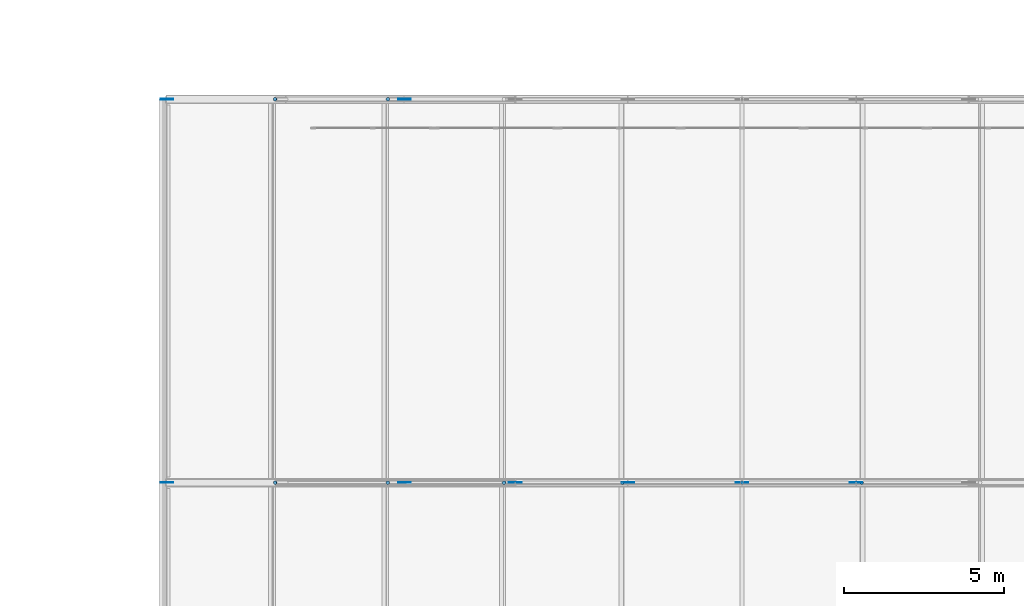
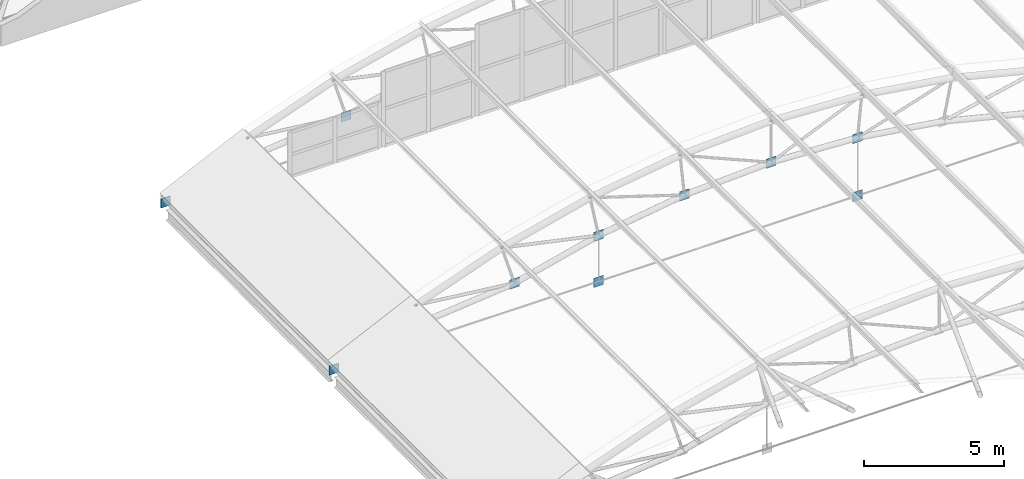
# One storey, part 308 of 321: 18 discrete accessories.
"""IFC4 building model written with IfcOpenShell, lengths in metres."""

from ifc_helpers import new_model, si_unit, direction, frame, origin, origin_2d, place, context, subcontext, project, spatial, rectangle, circle, extrude, material, material_profile, profile_set, type_object, element, save


model = new_model("IFC4")

# Units and contexts
model_context = context("Model", 3, precision=1e-05, world=origin(), true_north=direction((0.0, 1.0)))
body_context = subcontext(model_context, "Body", "Model", "MODEL_VIEW")
ifc_project = project(units=[si_unit("LENGTHUNIT", "METRE"), si_unit("AREAUNIT", "SQUARE_METRE"), si_unit("VOLUMEUNIT", "CUBIC_METRE"), si_unit("PLANEANGLEUNIT", "RADIAN"), si_unit("MASSUNIT", "GRAM", prefix="KILO")], contexts=[model_context])

# Site, building, storey
site_placement = place(None, origin())
site = spatial("IfcSite", under=ifc_project, at=site_placement, CompositionType="ELEMENT")
building_placement = place(site_placement, origin())
building = spatial("IfcBuilding", under=site, at=building_placement, Name="Ravi Spectrum Wholesale Market", CompositionType="ELEMENT")
storey_placement = place(building_placement, frame((0.0, 0.0, 10.800048828125)))
storey = spatial("IfcBuildingStorey", under=building, at=storey_placement, Name="L02", CompositionType="ELEMENT", Elevation=10.800048828125)

# Discrete accessories
ifc_material_1 = material(Name="Steel S355", Category="steel")
ifc_material_profile_1 = material_profile(ifc_material_1, circle(Radius=0.05712890625, at=origin_2d()))
ifc_profile_set_1 = profile_set([ifc_material_profile_1], Name="Steel S355")
discrete_accessory_type_1 = type_object("IfcDiscreteAccessoryType", Name="End plate CHS 114.3x4", PredefinedType="BRACKET", material=ifc_profile_set_1)
discrete_accessory_1_placement = place(storey_placement, frame((165.38818359375, 174.0, 1.59912109375), z_axis=(-0.371390676354, 0.0, 0.928476690885), x_axis=(0.0, -1.0, 0.0)))
element("IfcDiscreteAccessory", 1, at=discrete_accessory_1_placement, inside=storey, type_object=discrete_accessory_type_1, Name="End plate", PredefinedType="BRACKET", context=body_context, shape_type="SweptSolid", body=[
    extrude(circle(Radius=0.05712890625, at=origin_2d()), origin(), (0.0, 0.0, 1.0), 0.01171875),
])
for number, where, z_axis, x_axis, name in (
    (2, (168.916748046875, 174.0, 2.859130859375), (-0.2854765866, 0.0, 0.958385683586), (0.0, -1.0, 0.0), "End plate"),
    (3, (172.551513671875, 174.0, 3.767822265625), (-0.18428853505, 0.0, 0.982872186934), (0.0, -1.0, 0.0), "End plate"),
    (4, (176.2578125, 174.0, 4.31640625), (-0.101513688013, 0.0, 0.994834142531), (0.0, -1.0, 0.0), "End plate"),
    (5, (180.0, 174.0, 4.5), (0.0, 0.0, 1.0), (1.0, 0.0, 0.0), "End plate"),
    (6, (183.7421875, 174.0, 4.31640625), (0.101513688013, 0.0, 0.994834142531), (0.0, 1.0, 0.0), "End plate"),
):
    element("IfcDiscreteAccessory", number, at=place(storey_placement, frame(where, z_axis=z_axis, x_axis=x_axis)), inside=storey, type_object=discrete_accessory_type_1, Name=name, PredefinedType="BRACKET", context=body_context, shape_type="SweptSolid", body=[
        extrude(circle(Radius=0.05712890625, at=origin_2d()), origin(), (0.0, 0.0, 1.0), 0.011962890625),
    ])
discrete_accessory_2_placement = place(storey_placement, frame((165.38818359375, 186.0, 1.59912109375), z_axis=(-0.371390676354, 0.0, 0.928476690885), x_axis=(0.0, -1.0, 0.0)))
element("IfcDiscreteAccessory", 7, at=discrete_accessory_2_placement, inside=storey, type_object=discrete_accessory_type_1, Name="End plate", PredefinedType="BRACKET", context=body_context, shape_type="SweptSolid", body=[
    extrude(circle(Radius=0.05712890625, at=origin_2d()), origin(), (0.0, 0.0, 1.0), 0.01171875),
])
discrete_accessory_3_placement = place(storey_placement, frame((168.916748046875, 186.0, 2.859130859375), z_axis=(-0.2854765866, 0.0, 0.958385683586), x_axis=(0.0, -1.0, 0.0)))
element("IfcDiscreteAccessory", 8, at=discrete_accessory_3_placement, inside=storey, type_object=discrete_accessory_type_1, Name="End plate", PredefinedType="BRACKET", context=body_context, shape_type="SweptSolid", body=[
    extrude(circle(Radius=0.05712890625, at=origin_2d()), origin(), (0.0, 0.0, 1.0), 0.011962890625),
])
ifc_material_2 = material(Name="Steel S355", Category="steel")
ifc_material_profile_2 = material_profile(ifc_material_2, rectangle(XDim=0.39990234375, YDim=0.02001953125, at=origin_2d()))
ifc_profile_set_2 = profile_set([ifc_material_profile_2], Name="Steel S355")
discrete_accessory_type_2 = type_object("IfcDiscreteAccessoryType", Name="Gusset plate 400x400x20", PredefinedType="BRACKET", material=ifc_profile_set_2)
for number, where, z_axis, x_axis, name in (
    (9, (162.0, 174.0, -0.199951171875), (0.0, 0.0, 1.0), (1.0, 0.0, 0.0), "Gusset plate"),
    (10, (162.0, 186.0, -0.199951171875), (0.0, 0.0, 1.0), (1.0, 0.0, 0.0), "Gusset plate"),
    (11, (169.438232421875, 174.0, 0.936279296875), (0.0, 0.0, 1.0), (1.0, 0.0, 0.0), "Gusset plate"),
    (12, (169.438232421875, 186.0, 0.936279296875), (0.0, 0.0, 1.0), (1.0, 0.0, 0.0), "Gusset plate"),
    (13, (172.902099609375, 174.0, -0.199951171875), (0.0, 0.0, 1.0), (1.0, 0.0, 0.0), "Gusset plate"),
    (14, (172.902099609375, 174.0, 1.80224609375), (0.0, 0.0, 1.0), (1.0, 0.0, 0.0), "Gusset plate"),
    (15, (176.433837890625, 174.0, 2.3251953125), (0.0, 0.0, 1.0), (1.0, 0.0, 0.0), "Gusset plate"),
    (16, (180.0, 174.0, 2.5), (0.0, 0.0, 1.0), (1.0, 0.0, 0.0), "Gusset plate"),
    (17, (183.566162109375, 174.0, -0.199951171875), (0.0, 0.0, 1.0), (1.0, 0.0, 0.0), "Gusset plate"),
    (18, (183.566162109375, 174.0, 2.3251953125), (0.0, 0.0, 1.0), (-1.0, 0.0, 0.0), "Gusset plate"),
):
    element("IfcDiscreteAccessory", number, at=place(storey_placement, frame(where, z_axis=z_axis, x_axis=x_axis)), inside=storey, type_object=discrete_accessory_type_2, Name=name, PredefinedType="BRACKET", context=body_context, shape_type="SweptSolid", body=[
        extrude(rectangle(XDim=0.39990234375, YDim=0.02001953125, at=origin_2d()), origin(), (0.0, 0.0, 1.0), 0.39990234375),
    ])

save(model, "model.ifc")
